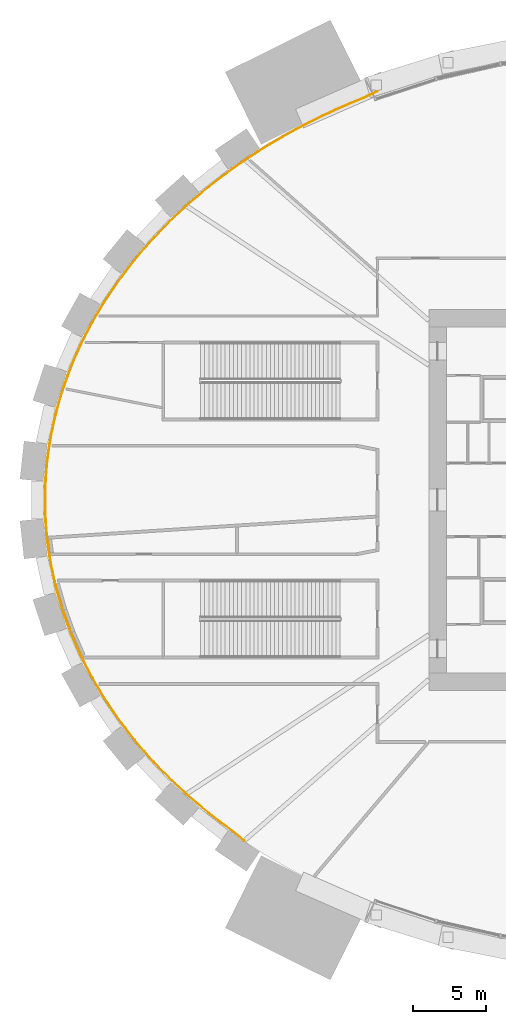
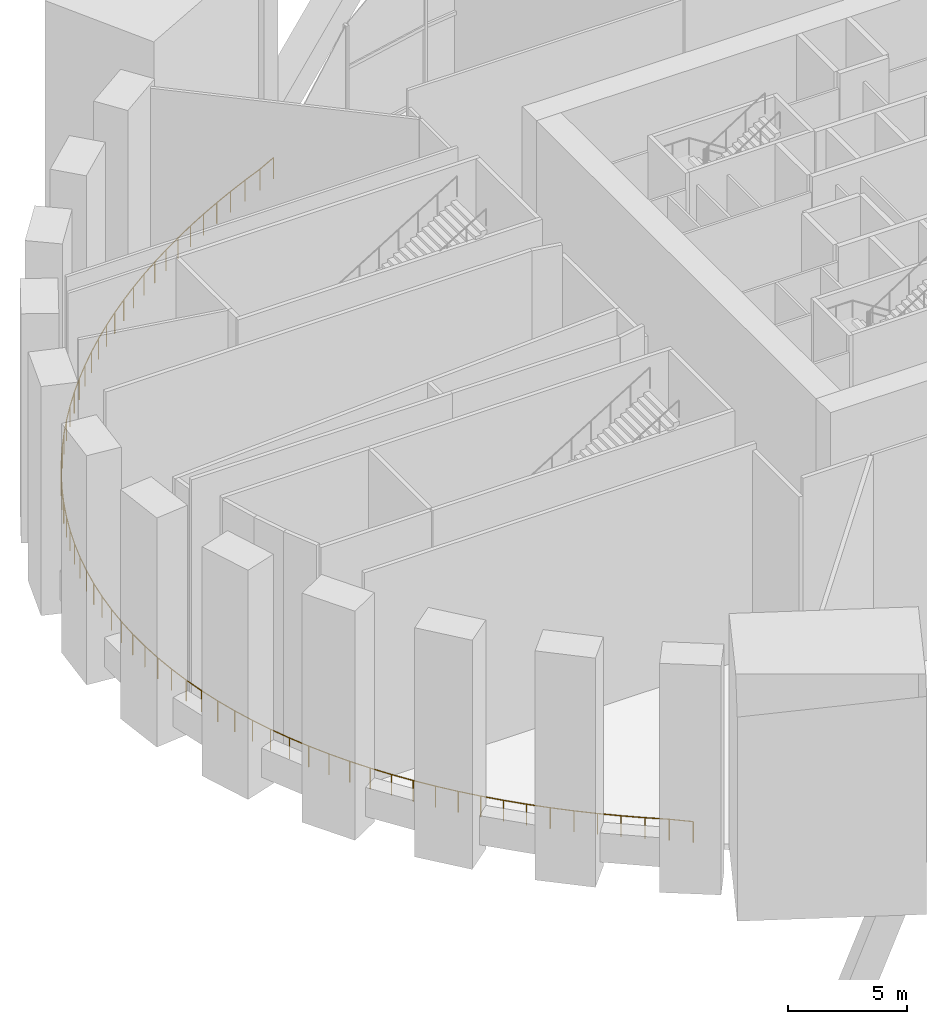
# One storey, part 16 of 21: 1 railing.
"""IFC4 building model written with IfcOpenShell, lengths in metres."""

from ifc_helpers import new_model, si_unit, direction, frame, origin, origin_2d, place, context, subcontext, project, spatial, circle, extrude, source, transform, mapped, material, type_object, element, save


model = new_model("IFC4")

# Units and contexts
model_context = context("Model", 3, precision=1e-05, world=origin(), true_north=direction((0.0, 1.0)))
body_context = subcontext(model_context, "Body", "Model", "MODEL_VIEW")
ifc_project = project(units=[si_unit("LENGTHUNIT", "METRE"), si_unit("AREAUNIT", "SQUARE_METRE"), si_unit("VOLUMEUNIT", "CUBIC_METRE"), si_unit("PLANEANGLEUNIT", "RADIAN"), si_unit("MASSUNIT", "GRAM", prefix="KILO")], contexts=[model_context])

# Site, building, storey
site_placement = place(None, origin())
site = spatial("IfcSite", under=ifc_project, at=site_placement, CompositionType="ELEMENT")
building_placement = place(site_placement, origin())
building = spatial("IfcBuilding", under=site, at=building_placement, Name="Embergate Tower", CompositionType="ELEMENT")
storey_placement = place(building_placement, frame((0.0, 0.0, 12.0)))
storey = spatial("IfcBuildingStorey", under=building, at=storey_placement, Name="L01", CompositionType="ELEMENT", Elevation=12.0)

# Railing
ifc_material = material(Name="Stainless steel", Category="steel")
railing_type = type_object("IfcRailingType", Name="Edge guard 1100", PredefinedType="GUARDRAIL", material=ifc_material)
shared_shape = source(origin(), body_context, "Body", "SweptSolid", [
    extrude(circle(Radius=0.02490234375, at=origin_2d()), frame((0.0, 0.0, 1.0751953125), z_axis=(-0.898670068431, -0.438625247913, 0.0), x_axis=(0.438625247913, -0.898670068431, 0.0)), (0.0, 0.0, 1.0), 1.02587890625),
    extrude(circle(Radius=0.02490234375, at=origin_2d()), frame((-0.921875, -0.449951171875, 1.0751953125), z_axis=(-0.925170763655, -0.379551127093, 0.0), x_axis=(0.379551127093, -0.925170763655, 0.0)), (0.0, 0.0, 1.0), 1.024658203125),
    extrude(circle(Radius=0.02490234375, at=origin_2d()), frame((-1.869873046875, -0.8388671875, 1.0751953125), z_axis=(-0.916322158137, -0.400441884058, 0.0), x_axis=(0.400441884058, -0.916322158137, 0.0)), (0.0, 0.0, 1.0), 1.019287109375),
    extrude(circle(Radius=0.02490234375, at=origin_2d()), frame((-2.803955078125, -1.2470703125, 1.0751953125), z_axis=(-0.90704836877, -0.421026432319, 0.0), x_axis=(0.421026432319, -0.90704836877, 0.0)), (0.0, 0.0, 1.0), 1.01416015625),
    extrude(circle(Radius=0.02490234375, at=origin_2d()), frame((-3.723876953125, -1.674072265625, 1.0751953125), z_axis=(-0.896884031493, -0.442265795708, 0.0), x_axis=(0.442265795708, -0.896884031493, 0.0)), (0.0, 0.0, 1.0), 1.008056640625),
    extrude(circle(Radius=0.02490234375, at=origin_2d()), frame((-4.6279296875, -2.119873046875, 1.0751953125), z_axis=(-0.886340156846, -0.463034692397, 0.0), x_axis=(0.463034692397, -0.886340156846, 0.0)), (0.0, 0.0, 1.0), 1.032470703125),
    extrude(circle(Radius=0.02490234375, at=origin_2d()), frame((-5.54296875, -2.597900390625, 1.0751953125), z_axis=(-0.874269498628, -0.485440875667, 0.0), x_axis=(0.485440875667, -0.874269498628, 0.0)), (0.0, 0.0, 1.0), 1.02587890625),
    extrude(circle(Radius=0.02490234375, at=origin_2d()), frame((-6.43994140625, -3.095947265625, 1.0751953125), z_axis=(-0.86231574442, -0.506370967696, 0.0), x_axis=(0.506370967696, -0.86231574442, 0.0)), (0.0, 0.0, 1.0), 1.019287109375),
    extrude(circle(Radius=0.02490234375, at=origin_2d()), frame((-7.31884765625, -3.612060546875, 1.0751953125), z_axis=(-0.849174312538, -0.528112664993, 0.0), x_axis=(0.528112664993, -0.849174312538, 0.0)), (0.0, 0.0, 1.0), 1.012939453125),
    extrude(circle(Radius=0.02490234375, at=origin_2d()), frame((-8.178955078125, -4.14697265625, 1.0751953125), z_axis=(-0.835730957079, -0.549139114779, 0.0), x_axis=(0.549139114779, -0.835730957079, 0.0)), (0.0, 0.0, 1.0), 1.005126953125),
    extrude(circle(Radius=0.02490234375, at=origin_2d()), frame((-9.01904296875, -4.698974609375, 1.0751953125), z_axis=(-0.820659780036, -0.571417120353, 0.0), x_axis=(0.571417120353, -0.820659780036, 0.0)), (0.0, 0.0, 1.0), 1.034423828125),
    extrude(circle(Radius=0.02490234375, at=origin_2d()), frame((-9.867919921875, -5.2900390625, 1.0751953125), z_axis=(-0.805247017037, -0.592939492321, 0.0), x_axis=(0.592939492321, -0.805247017037, 0.0)), (0.0, 0.0, 1.0), 1.02685546875),
    extrude(circle(Radius=0.02490234375, at=origin_2d()), frame((-10.69482421875, -5.89892578125, 1.0751953125), z_axis=(-0.788758020494, -0.614703819011, 0.0), x_axis=(0.614703819011, -0.788758020494, 0.0)), (0.0, 0.0, 1.0), 1.018310546875),
    extrude(circle(Radius=0.02490234375, at=origin_2d()), frame((-11.498046875, -6.52490234375, 1.0751953125), z_axis=(-0.770549569389, -0.637380075869, 0.0), x_axis=(0.637380075869, -0.770549569389, 0.0)), (0.0, 0.0, 1.0), 1.011962890625),
    extrude(circle(Radius=0.02490234375, at=origin_2d()), frame((-12.27783203125, -7.169921875, 1.0751953125), z_axis=(-0.753284425792, -0.657694894202, 0.0), x_axis=(0.657694894202, -0.753284425792, 0.0)), (0.0, 0.0, 1.0), 1.003662109375),
    extrude(circle(Radius=0.02490234375, at=origin_2d()), frame((-13.033935546875, -7.830078125, 1.0751953125), z_axis=(-0.733255328789, -0.679953397523, 0.0), x_axis=(0.679953397523, -0.733255328789, 0.0)), (0.0, 0.0, 1.0), 1.03515625),
    extrude(circle(Radius=0.02490234375, at=origin_2d()), frame((-13.79296875, -8.533935546875, 1.0751953125), z_axis=(-0.712433380724, -0.701739750926, 0.0), x_axis=(0.701739750926, -0.712433380724, 0.0)), (0.0, 0.0, 1.0), 1.02734375),
    extrude(circle(Radius=0.02490234375, at=origin_2d()), frame((-14.52490234375, -9.2548828125, 1.0751953125), z_axis=(-0.69025340273, -0.723567716264, 0.0), x_axis=(0.723567716264, -0.69025340273, 0.0)), (0.0, 0.0, 1.0), 1.0185546875),
    extrude(circle(Radius=0.02490234375, at=origin_2d()), frame((-15.22802734375, -9.991943359375, 1.0751953125), z_axis=(-0.667415756196, -0.744685308289, 0.0), x_axis=(0.744685308289, -0.667415756196, 0.0)), (0.0, 0.0, 1.0), 1.010986328125),
    extrude(circle(Radius=0.02490234375, at=origin_2d()), frame((-15.90283203125, -10.744873046875, 1.0751953125), z_axis=(-0.64415073892, -0.764898572066, 0.0), x_axis=(0.764898572066, -0.64415073892, 0.0)), (0.0, 0.0, 1.0), 1.0029296875),
    extrude(circle(Radius=0.02490234375, at=origin_2d()), frame((-16.548828125, -11.511962890625, 1.0751953125), z_axis=(-0.617592320889, -0.786498394899, 0.0), x_axis=(0.786498394899, -0.617592320889, 0.0)), (0.0, 0.0, 1.0), 1.034912109375),
    extrude(circle(Radius=0.02490234375, at=origin_2d()), frame((-17.18798828125, -12.325927734375, 1.0751953125), z_axis=(-0.590517553228, -0.807024794742, 0.0), x_axis=(0.807024794742, -0.590517553228, 0.0)), (0.0, 0.0, 1.0), 1.026123046875),
    extrude(circle(Radius=0.02490234375, at=origin_2d()), frame((-17.7939453125, -13.154052734375, 1.0751953125), z_axis=(-0.563240179925, -0.826293228653, 0.0), x_axis=(0.826293228653, -0.563240179925, 0.0)), (0.0, 0.0, 1.0), 1.01904296875),
    extrude(circle(Radius=0.02490234375, at=origin_2d()), frame((-18.367919921875, -13.99609375, 1.0751953125), z_axis=(-0.533338498834, -0.845901912553, 0.0), x_axis=(0.845901912553, -0.533338498834, 0.0)), (0.0, 0.0, 1.0), 1.0107421875),
    extrude(circle(Radius=0.02490234375, at=origin_2d()), frame((-18.906982421875, -14.85107421875, 1.0751953125), z_axis=(-0.502523125034, -0.864563767924, 0.0), x_axis=(0.864563767924, -0.502523125034, 0.0)), (0.0, 0.0, 1.0), 1.002685546875),
    extrude(circle(Radius=0.02490234375, at=origin_2d()), frame((-19.410888671875, -15.718017578125, 1.0751953125), z_axis=(-0.470796865533, -0.882241640031, 0.0), x_axis=(0.882241640031, -0.470796865533, 0.0)), (0.0, 0.0, 1.0), 1.032470703125),
    extrude(circle(Radius=0.02490234375, at=origin_2d()), frame((-19.89697265625, -16.62890625, 1.0751953125), z_axis=(-0.437366745177, -0.899283231364, 0.0), x_axis=(0.899283231364, -0.437366745177, 0.0)), (0.0, 0.0, 1.0), 1.0244140625),
    extrude(circle(Radius=0.02490234375, at=origin_2d()), frame((-20.344970703125, -17.550048828125, 1.0751953125), z_axis=(-0.401485152071, -0.915865531979, 0.0), x_axis=(0.915865531979, -0.401485152071, 0.0)), (0.0, 0.0, 1.0), 1.0185546875),
    extrude(circle(Radius=0.02490234375, at=origin_2d()), frame((-20.75390625, -18.48291015625, 1.0751953125), z_axis=(-0.365973515768, -0.930625266021, 0.0), x_axis=(0.930625266021, -0.365973515768, 0.0)), (0.0, 0.0, 1.0), 1.01123046875),
    extrude(circle(Radius=0.02490234375, at=origin_2d()), frame((-21.1240234375, -19.424072265625, 1.0751953125), z_axis=(-0.328567649518, -0.944480439019, 0.0), x_axis=(0.944480439019, -0.328567649518, 0.0)), (0.0, 0.0, 1.0), 1.0068359375),
    extrude(circle(Radius=0.02490234375, at=origin_2d()), frame((-21.454833984375, -20.375, 1.0751953125), z_axis=(-0.29136036249, -0.956613369742, 0.0), x_axis=(0.956613369742, -0.29136036249, 0.0)), (0.0, 0.0, 1.0), 1.0263671875),
    extrude(circle(Radius=0.02490234375, at=origin_2d()), frame((-21.75390625, -21.35693359375, 1.0751953125), z_axis=(-0.250680175097, -0.968069961218, 0.0), x_axis=(0.968069961218, -0.250680175097, 0.0)), (0.0, 0.0, 1.0), 1.021728515625),
    extrude(circle(Radius=0.02490234375, at=origin_2d()), frame((-22.010009765625, -22.345947265625, 1.0751953125), z_axis=(-0.210118759138, -0.977675870142, 0.0), x_axis=(0.977675870142, -0.210118759138, 0.0)), (0.0, 0.0, 1.0), 1.017822265625),
    extrude(circle(Radius=0.02490234375, at=origin_2d()), frame((-22.223876953125, -23.341064453125, 1.0751953125), z_axis=(-0.16962490984, -0.985508696036, 0.0), x_axis=(0.985508696036, -0.16962490984, 0.0)), (0.0, 0.0, 1.0), 1.0146484375),
    extrude(circle(Radius=0.02490234375, at=origin_2d()), frame((-22.39599609375, -24.341064453125, 1.0751953125), z_axis=(-0.128308044943, -0.991734362419, 0.0), x_axis=(0.991734362419, -0.128308044943, 0.0)), (0.0, 0.0, 1.0), 1.01220703125),
    extrude(circle(Radius=0.02490234375, at=origin_2d()), frame((-22.52587890625, -25.344970703125, 1.0751953125), z_axis=(-0.085543863094, -0.996334405452, 0.0), x_axis=(0.996334405452, -0.085543863094, 0.0)), (0.0, 0.0, 1.0), 1.018798828125),
    extrude(circle(Radius=0.02490234375, at=origin_2d()), frame((-22.613037109375, -26.360107421875, 1.0751953125), z_axis=(-0.043176984166, -0.999067439184, 0.0), x_axis=(0.999067439184, -0.043176984166, 0.0)), (0.0, 0.0, 1.0), 1.017822265625),
    extrude(circle(Radius=0.02490234375, at=origin_2d()), frame((-22.656982421875, -27.376953125, 1.0751953125), z_axis=(0.0, -1.0, 0.0), x_axis=(1.0, 0.0, 0.0)), (0.0, 0.0, 1.0), 1.01806640625),
    extrude(circle(Radius=0.02490234375, at=origin_2d()), frame((-22.656982421875, -28.39501953125, 1.0751953125), z_axis=(0.043176984166, -0.999067439184, 0.0), x_axis=(0.999067439184, 0.043176984166, 0.0)), (0.0, 0.0, 1.0), 1.017822265625),
    extrude(circle(Radius=0.02490234375, at=origin_2d()), frame((-22.613037109375, -29.411865234375, 1.0751953125), z_axis=(0.085543863094, -0.996334405452, 0.0), x_axis=(0.996334405452, 0.085543863094, 0.0)), (0.0, 0.0, 1.0), 1.018798828125),
    extrude(circle(Radius=0.02490234375, at=origin_2d()), frame((-22.52587890625, -30.427001953125, 1.0751953125), z_axis=(0.128308044943, -0.991734362419, 0.0), x_axis=(0.991734362419, 0.128308044943, 0.0)), (0.0, 0.0, 1.0), 1.01220703125),
    extrude(circle(Radius=0.02490234375, at=origin_2d()), frame((-22.39599609375, -31.430908203125, 1.0751953125), z_axis=(0.16962490984, -0.985508696036, 0.0), x_axis=(0.985508696036, 0.16962490984, 0.0)), (0.0, 0.0, 1.0), 1.0146484375),
    extrude(circle(Radius=0.02490234375, at=origin_2d()), frame((-22.223876953125, -32.430908203125, 1.0751953125), z_axis=(0.210118759138, -0.977675870142, 0.0), x_axis=(0.977675870142, 0.210118759138, 0.0)), (0.0, 0.0, 1.0), 1.017822265625),
    extrude(circle(Radius=0.02490234375, at=origin_2d()), frame((-22.010009765625, -33.426025390625, 1.0751953125), z_axis=(0.250680175097, -0.968069961218, 0.0), x_axis=(0.968069961218, 0.250680175097, 0.0)), (0.0, 0.0, 1.0), 1.021728515625),
    extrude(circle(Radius=0.02490234375, at=origin_2d()), frame((-21.75390625, -34.4150390625, 1.0751953125), z_axis=(0.29136036249, -0.956613369742, 0.0), x_axis=(0.956613369742, 0.29136036249, 0.0)), (0.0, 0.0, 1.0), 1.0263671875),
    extrude(circle(Radius=0.02490234375, at=origin_2d()), frame((-21.454833984375, -35.39697265625, 1.0751953125), z_axis=(0.328567649518, -0.944480439019, 0.0), x_axis=(0.944480439019, 0.328567649518, 0.0)), (0.0, 0.0, 1.0), 1.0068359375),
    extrude(circle(Radius=0.02490234375, at=origin_2d()), frame((-21.1240234375, -36.347900390625, 1.0751953125), z_axis=(0.365973515768, -0.930625266021, 0.0), x_axis=(0.930625266021, 0.365973515768, 0.0)), (0.0, 0.0, 1.0), 1.01123046875),
    extrude(circle(Radius=0.02490234375, at=origin_2d()), frame((-20.75390625, -37.2890625, 1.0751953125), z_axis=(0.401485152071, -0.915865531979, 0.0), x_axis=(0.915865531979, 0.401485152071, 0.0)), (0.0, 0.0, 1.0), 1.0185546875),
    extrude(circle(Radius=0.02490234375, at=origin_2d()), frame((-20.344970703125, -38.221923828125, 1.0751953125), z_axis=(0.437366745177, -0.899283231364, 0.0), x_axis=(0.899283231364, 0.437366745177, 0.0)), (0.0, 0.0, 1.0), 1.0244140625),
    extrude(circle(Radius=0.02490234375, at=origin_2d()), frame((-19.89697265625, -39.14306640625, 1.0751953125), z_axis=(0.470796865533, -0.882241640031, 0.0), x_axis=(0.882241640031, 0.470796865533, 0.0)), (0.0, 0.0, 1.0), 1.032470703125),
    extrude(circle(Radius=0.02490234375, at=origin_2d()), frame((-19.410888671875, -40.053955078125, 1.0751953125), z_axis=(0.502523125034, -0.864563767924, 0.0), x_axis=(0.864563767924, 0.502523125034, 0.0)), (0.0, 0.0, 1.0), 1.002685546875),
    extrude(circle(Radius=0.02490234375, at=origin_2d()), frame((-18.906982421875, -40.9208984375, 1.0751953125), z_axis=(0.533338498834, -0.845901912553, 0.0), x_axis=(0.845901912553, 0.533338498834, 0.0)), (0.0, 0.0, 1.0), 1.0107421875),
    extrude(circle(Radius=0.02490234375, at=origin_2d()), frame((-18.367919921875, -41.77587890625, 1.0751953125), z_axis=(0.563240179925, -0.826293228653, 0.0), x_axis=(0.826293228653, 0.563240179925, 0.0)), (0.0, 0.0, 1.0), 1.01904296875),
    extrude(circle(Radius=0.02490234375, at=origin_2d()), frame((-17.7939453125, -42.617919921875, 1.0751953125), z_axis=(0.590517553228, -0.807024794742, 0.0), x_axis=(0.807024794742, 0.590517553228, 0.0)), (0.0, 0.0, 1.0), 1.026123046875),
    extrude(circle(Radius=0.02490234375, at=origin_2d()), frame((-17.18798828125, -43.446044921875, 1.0751953125), z_axis=(0.617592320889, -0.786498394899, 0.0), x_axis=(0.786498394899, 0.617592320889, 0.0)), (0.0, 0.0, 1.0), 1.034912109375),
    extrude(circle(Radius=0.02490234375, at=origin_2d()), frame((-16.548828125, -44.260009765625, 1.0751953125), z_axis=(0.64415073892, -0.764898572066, 0.0), x_axis=(0.764898572066, 0.64415073892, 0.0)), (0.0, 0.0, 1.0), 1.0029296875),
    extrude(circle(Radius=0.02490234375, at=origin_2d()), frame((-15.90283203125, -45.027099609375, 1.0751953125), z_axis=(0.667415756196, -0.744685308289, 0.0), x_axis=(0.744685308289, 0.667415756196, 0.0)), (0.0, 0.0, 1.0), 1.010986328125),
    extrude(circle(Radius=0.02490234375, at=origin_2d()), frame((-15.22802734375, -45.780029296875, 1.0751953125), z_axis=(0.69025340273, -0.723567716264, 0.0), x_axis=(0.723567716264, 0.69025340273, 0.0)), (0.0, 0.0, 1.0), 1.0185546875),
    extrude(circle(Radius=0.02490234375, at=origin_2d()), frame((-14.52490234375, -46.51708984375, 1.0751953125), z_axis=(0.712433380724, -0.701739750926, 0.0), x_axis=(0.701739750926, 0.712433380724, 0.0)), (0.0, 0.0, 1.0), 1.02734375),
    extrude(circle(Radius=0.02490234375, at=origin_2d()), frame((-13.79296875, -47.238037109375, 1.0751953125), z_axis=(0.733255328789, -0.679953397523, 0.0), x_axis=(0.679953397523, 0.733255328789, 0.0)), (0.0, 0.0, 1.0), 1.03515625),
    extrude(circle(Radius=0.02490234375, at=origin_2d()), frame((-13.033935546875, -47.94189453125, 1.0751953125), z_axis=(0.753284425792, -0.657694894202, 0.0), x_axis=(0.657694894202, 0.753284425792, 0.0)), (0.0, 0.0, 1.0), 1.003662109375),
    extrude(circle(Radius=0.02490234375, at=origin_2d()), frame((-12.27783203125, -48.60205078125, 1.0751953125), z_axis=(0.770549569389, -0.637380075869, 0.0), x_axis=(0.637380075869, 0.770549569389, 0.0)), (0.0, 0.0, 1.0), 1.011962890625),
    extrude(circle(Radius=0.02490234375, at=origin_2d()), frame((-11.498046875, -49.2470703125, 1.0751953125), z_axis=(0.788758020494, -0.614703819011, 0.0), x_axis=(0.614703819011, 0.788758020494, 0.0)), (0.0, 0.0, 1.0), 1.018310546875),
    extrude(circle(Radius=0.02490234375, at=origin_2d()), frame((-10.69482421875, -49.873046875, 1.0751953125), z_axis=(0.805247017037, -0.592939492321, 0.0), x_axis=(0.592939492321, 0.805247017037, 0.0)), (0.0, 0.0, 1.0), 1.02685546875),
    extrude(circle(Radius=0.02490234375, at=origin_2d()), frame((-9.867919921875, -50.48193359375, 1.0751953125), z_axis=(0.768026463752, -0.640418106378, 0.0), x_axis=(0.640418106378, 0.768026463752, 0.0)), (0.0, 0.0, 1.0), 1.02734375),
    extrude(circle(Radius=0.02490234375, at=origin_2d()), origin(), (0.0, 0.0, 1.0), 1.050048828125),
    extrude(circle(Radius=0.02490234375, at=origin_2d()), frame((-0.921875, -0.449951171875, 0.0)), (0.0, 0.0, 1.0), 1.050048828125),
    extrude(circle(Radius=0.02490234375, at=origin_2d()), frame((-1.869873046875, -0.8388671875, 0.0)), (0.0, 0.0, 1.0), 1.050048828125),
    extrude(circle(Radius=0.02490234375, at=origin_2d()), frame((-2.803955078125, -1.2470703125, 0.0)), (0.0, 0.0, 1.0), 1.050048828125),
    extrude(circle(Radius=0.02490234375, at=origin_2d()), frame((-3.723876953125, -1.674072265625, 0.0)), (0.0, 0.0, 1.0), 1.050048828125),
    extrude(circle(Radius=0.02490234375, at=origin_2d()), frame((-4.6279296875, -2.119873046875, 0.0)), (0.0, 0.0, 1.0), 1.050048828125),
    extrude(circle(Radius=0.02490234375, at=origin_2d()), frame((-5.54296875, -2.597900390625, 0.0)), (0.0, 0.0, 1.0), 1.050048828125),
    extrude(circle(Radius=0.02490234375, at=origin_2d()), frame((-6.43994140625, -3.095947265625, 0.0)), (0.0, 0.0, 1.0), 1.050048828125),
    extrude(circle(Radius=0.02490234375, at=origin_2d()), frame((-7.31884765625, -3.612060546875, 0.0)), (0.0, 0.0, 1.0), 1.050048828125),
    extrude(circle(Radius=0.02490234375, at=origin_2d()), frame((-8.178955078125, -4.14697265625, 0.0)), (0.0, 0.0, 1.0), 1.050048828125),
    extrude(circle(Radius=0.02490234375, at=origin_2d()), frame((-9.01904296875, -4.698974609375, 0.0)), (0.0, 0.0, 1.0), 1.050048828125),
    extrude(circle(Radius=0.02490234375, at=origin_2d()), frame((-9.867919921875, -5.2900390625, 0.0)), (0.0, 0.0, 1.0), 1.050048828125),
    extrude(circle(Radius=0.02490234375, at=origin_2d()), frame((-10.69482421875, -5.89892578125, 0.0)), (0.0, 0.0, 1.0), 1.050048828125),
    extrude(circle(Radius=0.02490234375, at=origin_2d()), frame((-11.498046875, -6.52490234375, 0.0)), (0.0, 0.0, 1.0), 1.050048828125),
    extrude(circle(Radius=0.02490234375, at=origin_2d()), frame((-12.27783203125, -7.169921875, 0.0)), (0.0, 0.0, 1.0), 1.050048828125),
    extrude(circle(Radius=0.02490234375, at=origin_2d()), frame((-13.033935546875, -7.830078125, 0.0)), (0.0, 0.0, 1.0), 1.050048828125),
    extrude(circle(Radius=0.02490234375, at=origin_2d()), frame((-13.79296875, -8.533935546875, 0.0)), (0.0, 0.0, 1.0), 1.050048828125),
    extrude(circle(Radius=0.02490234375, at=origin_2d()), frame((-14.52490234375, -9.2548828125, 0.0)), (0.0, 0.0, 1.0), 1.050048828125),
    extrude(circle(Radius=0.02490234375, at=origin_2d()), frame((-15.22802734375, -9.991943359375, 0.0)), (0.0, 0.0, 1.0), 1.050048828125),
    extrude(circle(Radius=0.02490234375, at=origin_2d()), frame((-15.90283203125, -10.744873046875, 0.0)), (0.0, 0.0, 1.0), 1.050048828125),
    extrude(circle(Radius=0.02490234375, at=origin_2d()), frame((-16.548828125, -11.511962890625, 0.0)), (0.0, 0.0, 1.0), 1.050048828125),
    extrude(circle(Radius=0.02490234375, at=origin_2d()), frame((-17.18798828125, -12.325927734375, 0.0)), (0.0, 0.0, 1.0), 1.050048828125),
    extrude(circle(Radius=0.02490234375, at=origin_2d()), frame((-17.7939453125, -13.154052734375, 0.0)), (0.0, 0.0, 1.0), 1.050048828125),
    extrude(circle(Radius=0.02490234375, at=origin_2d()), frame((-18.367919921875, -13.99609375, 0.0)), (0.0, 0.0, 1.0), 1.050048828125),
    extrude(circle(Radius=0.02490234375, at=origin_2d()), frame((-18.906982421875, -14.85107421875, 0.0)), (0.0, 0.0, 1.0), 1.050048828125),
    extrude(circle(Radius=0.02490234375, at=origin_2d()), frame((-19.410888671875, -15.718017578125, 0.0)), (0.0, 0.0, 1.0), 1.050048828125),
    extrude(circle(Radius=0.02490234375, at=origin_2d()), frame((-19.89697265625, -16.62890625, 0.0)), (0.0, 0.0, 1.0), 1.050048828125),
    extrude(circle(Radius=0.02490234375, at=origin_2d()), frame((-20.344970703125, -17.550048828125, 0.0)), (0.0, 0.0, 1.0), 1.050048828125),
    extrude(circle(Radius=0.02490234375, at=origin_2d()), frame((-20.75390625, -18.48291015625, 0.0)), (0.0, 0.0, 1.0), 1.050048828125),
    extrude(circle(Radius=0.02490234375, at=origin_2d()), frame((-21.1240234375, -19.424072265625, 0.0)), (0.0, 0.0, 1.0), 1.050048828125),
    extrude(circle(Radius=0.02490234375, at=origin_2d()), frame((-21.454833984375, -20.375, 0.0)), (0.0, 0.0, 1.0), 1.050048828125),
    extrude(circle(Radius=0.02490234375, at=origin_2d()), frame((-21.75390625, -21.35693359375, 0.0)), (0.0, 0.0, 1.0), 1.050048828125),
    extrude(circle(Radius=0.02490234375, at=origin_2d()), frame((-22.010009765625, -22.345947265625, 0.0)), (0.0, 0.0, 1.0), 1.050048828125),
    extrude(circle(Radius=0.02490234375, at=origin_2d()), frame((-22.223876953125, -23.341064453125, 0.0)), (0.0, 0.0, 1.0), 1.050048828125),
    extrude(circle(Radius=0.02490234375, at=origin_2d()), frame((-22.39599609375, -24.341064453125, 0.0)), (0.0, 0.0, 1.0), 1.050048828125),
    extrude(circle(Radius=0.02490234375, at=origin_2d()), frame((-22.52587890625, -25.344970703125, 0.0)), (0.0, 0.0, 1.0), 1.050048828125),
    extrude(circle(Radius=0.02490234375, at=origin_2d()), frame((-22.613037109375, -26.360107421875, 0.0)), (0.0, 0.0, 1.0), 1.050048828125),
    extrude(circle(Radius=0.02490234375, at=origin_2d()), frame((-22.656982421875, -27.376953125, 0.0)), (0.0, 0.0, 1.0), 1.050048828125),
    extrude(circle(Radius=0.02490234375, at=origin_2d()), frame((-22.656982421875, -28.39501953125, 0.0)), (0.0, 0.0, 1.0), 1.050048828125),
    extrude(circle(Radius=0.02490234375, at=origin_2d()), frame((-22.613037109375, -29.411865234375, 0.0)), (0.0, 0.0, 1.0), 1.050048828125),
    extrude(circle(Radius=0.02490234375, at=origin_2d()), frame((-22.52587890625, -30.427001953125, 0.0)), (0.0, 0.0, 1.0), 1.050048828125),
    extrude(circle(Radius=0.02490234375, at=origin_2d()), frame((-22.39599609375, -31.430908203125, 0.0)), (0.0, 0.0, 1.0), 1.050048828125),
    extrude(circle(Radius=0.02490234375, at=origin_2d()), frame((-22.223876953125, -32.430908203125, 0.0)), (0.0, 0.0, 1.0), 1.050048828125),
    extrude(circle(Radius=0.02490234375, at=origin_2d()), frame((-22.010009765625, -33.426025390625, 0.0)), (0.0, 0.0, 1.0), 1.050048828125),
    extrude(circle(Radius=0.02490234375, at=origin_2d()), frame((-21.75390625, -34.4150390625, 0.0)), (0.0, 0.0, 1.0), 1.050048828125),
    extrude(circle(Radius=0.02490234375, at=origin_2d()), frame((-21.454833984375, -35.39697265625, 0.0)), (0.0, 0.0, 1.0), 1.050048828125),
    extrude(circle(Radius=0.02490234375, at=origin_2d()), frame((-21.1240234375, -36.347900390625, 0.0)), (0.0, 0.0, 1.0), 1.050048828125),
    extrude(circle(Radius=0.02490234375, at=origin_2d()), frame((-20.75390625, -37.2890625, 0.0)), (0.0, 0.0, 1.0), 1.050048828125),
    extrude(circle(Radius=0.02490234375, at=origin_2d()), frame((-20.344970703125, -38.221923828125, 0.0)), (0.0, 0.0, 1.0), 1.050048828125),
    extrude(circle(Radius=0.02490234375, at=origin_2d()), frame((-19.89697265625, -39.14306640625, 0.0)), (0.0, 0.0, 1.0), 1.050048828125),
    extrude(circle(Radius=0.02490234375, at=origin_2d()), frame((-19.410888671875, -40.053955078125, 0.0)), (0.0, 0.0, 1.0), 1.050048828125),
    extrude(circle(Radius=0.02490234375, at=origin_2d()), frame((-18.906982421875, -40.9208984375, 0.0)), (0.0, 0.0, 1.0), 1.050048828125),
    extrude(circle(Radius=0.02490234375, at=origin_2d()), frame((-18.367919921875, -41.77587890625, 0.0)), (0.0, 0.0, 1.0), 1.050048828125),
    extrude(circle(Radius=0.02490234375, at=origin_2d()), frame((-17.7939453125, -42.617919921875, 0.0)), (0.0, 0.0, 1.0), 1.050048828125),
    extrude(circle(Radius=0.02490234375, at=origin_2d()), frame((-17.18798828125, -43.446044921875, 0.0)), (0.0, 0.0, 1.0), 1.050048828125),
    extrude(circle(Radius=0.02490234375, at=origin_2d()), frame((-16.548828125, -44.260009765625, 0.0)), (0.0, 0.0, 1.0), 1.050048828125),
    extrude(circle(Radius=0.02490234375, at=origin_2d()), frame((-15.90283203125, -45.027099609375, 0.0)), (0.0, 0.0, 1.0), 1.050048828125),
    extrude(circle(Radius=0.02490234375, at=origin_2d()), frame((-15.22802734375, -45.780029296875, 0.0)), (0.0, 0.0, 1.0), 1.050048828125),
    extrude(circle(Radius=0.02490234375, at=origin_2d()), frame((-14.52490234375, -46.51708984375, 0.0)), (0.0, 0.0, 1.0), 1.050048828125),
    extrude(circle(Radius=0.02490234375, at=origin_2d()), frame((-13.79296875, -47.238037109375, 0.0)), (0.0, 0.0, 1.0), 1.050048828125),
    extrude(circle(Radius=0.02490234375, at=origin_2d()), frame((-13.033935546875, -47.94189453125, 0.0)), (0.0, 0.0, 1.0), 1.050048828125),
    extrude(circle(Radius=0.02490234375, at=origin_2d()), frame((-12.27783203125, -48.60205078125, 0.0)), (0.0, 0.0, 1.0), 1.050048828125),
    extrude(circle(Radius=0.02490234375, at=origin_2d()), frame((-11.498046875, -49.2470703125, 0.0)), (0.0, 0.0, 1.0), 1.050048828125),
    extrude(circle(Radius=0.02490234375, at=origin_2d()), frame((-10.69482421875, -49.873046875, 0.0)), (0.0, 0.0, 1.0), 1.050048828125),
    extrude(circle(Radius=0.02490234375, at=origin_2d()), frame((-9.867919921875, -50.48193359375, 0.0)), (0.0, 0.0, 1.0), 1.050048828125),
    extrude(circle(Radius=0.02490234375, at=origin_2d()), frame((-9.078857421875, -51.139892578125, 0.0)), (0.0, 0.0, 1.0), 1.050048828125),
])
railing_placement = place(storey_placement, frame((-17.51806640625, 27.885986328125, 0.0)))
element("IfcRailing", 1, at=railing_placement, inside=storey, type_object=railing_type, Name="Slab edge guard", PredefinedType="GUARDRAIL", context=body_context, shape_type="MappedRepresentation", body=[
    mapped(shared_shape, transform((0.0, 0.0, 0.0))),
])

save(model, "model.ifc")
